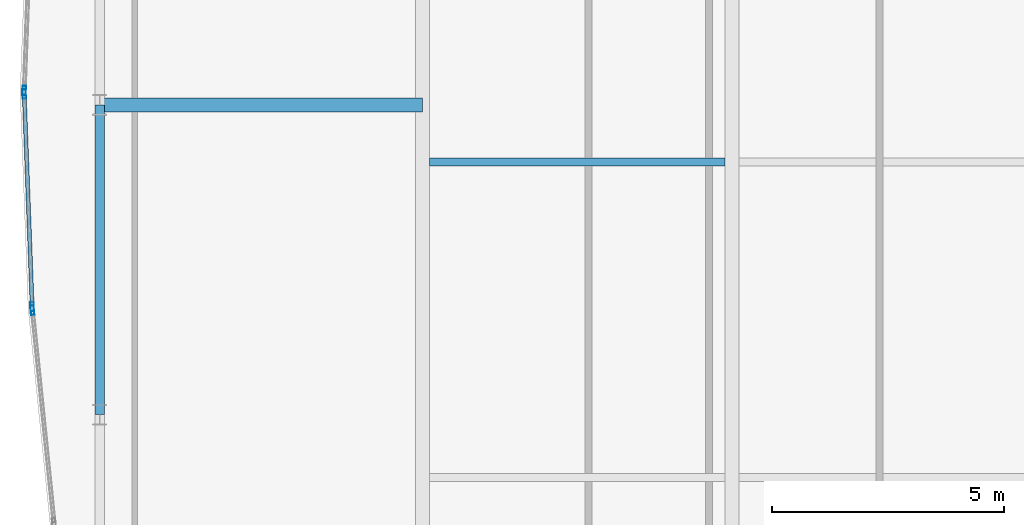
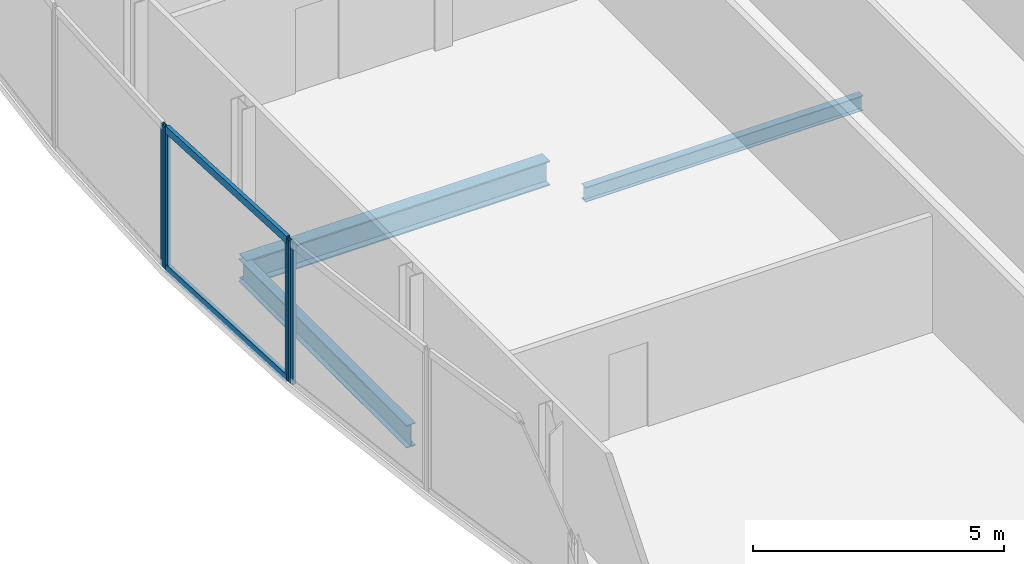
# One storey, part 9 of 26: 6 members, 3 beams, 3 elements without a shape of their own.
"""IFC4 building model written with IfcOpenShell, lengths in metres."""

from ifc_helpers import new_model, si_unit, direction, frame, origin, origin_2d, place, context, subcontext, project, spatial, hollow_rectangle, i_section, extrude, material, material_profile, profile_set, type_object, element, aggregate, save


model = new_model("IFC4")

# Units and contexts
model_context = context("Model", 3, precision=1e-05, world=origin(), true_north=direction((0.0, 1.0)))
body_context = subcontext(model_context, "Body", "Model", "MODEL_VIEW")
ifc_project = project(units=[si_unit("LENGTHUNIT", "METRE"), si_unit("AREAUNIT", "SQUARE_METRE"), si_unit("VOLUMEUNIT", "CUBIC_METRE"), si_unit("PLANEANGLEUNIT", "RADIAN"), si_unit("MASSUNIT", "GRAM", prefix="KILO")], contexts=[model_context])

# Site, building, storey
site_placement = place(None, origin())
site = spatial("IfcSite", under=ifc_project, at=site_placement, CompositionType="ELEMENT")
building_placement = place(site_placement, origin())
building = spatial("IfcBuilding", under=site, at=building_placement, Name="Khoronbel Lancet Exchange", CompositionType="ELEMENT")
storey_placement = place(building_placement, frame((0.0, 0.0, 339.800048828125)))
storey = spatial("IfcBuildingStorey", under=building, at=storey_placement, Name="L88", CompositionType="ELEMENT", Elevation=339.800048828125)

# Beams
ifc_material_1 = material(Name="Steel S355", Category="steel")
ifc_material_profile_1 = material_profile(ifc_material_1, i_section(OverallWidth=0.300048828125, OverallDepth=0.60009765625, WebThickness=0.015380859375, FlangeThickness=0.030029296875, at=origin_2d()), Name="HEB 600")
ifc_profile_set_1 = profile_set([ifc_material_profile_1], Name="Steel S355")
beam_type_1 = type_object("IfcBeamType", Name="BM-BG5", PredefinedType="BEAM", material=ifc_profile_set_1)
beam_1_placement = place(storey_placement, frame((11.27001953125, 31.425048828125, -0.4599609375), z_axis=(1.0, 0.0, 0.0), x_axis=(0.0, 1.0, 0.0)))
element("IfcBeam", 1, at=beam_1_placement, inside=storey, type_object=beam_type_1, Name="Level L88 west lens tie girder LG2W", PredefinedType="BEAM", context=body_context, shape_type="SweptSolid", body=[
    extrude(i_section(OverallWidth=0.300048828125, OverallDepth=0.60009765625, WebThickness=0.015380859375, FlangeThickness=0.030029296875, at=origin_2d()), origin(), (0.0, 0.0, 1.0), 6.955078125),
])
ifc_material_profile_2 = material_profile(ifc_material_1, i_section(OverallWidth=0.169921875, OverallDepth=0.360107421875, WebThickness=0.008056640625, FlangeThickness=0.0126953125, at=origin_2d()), Name="IPE 360")
ifc_profile_set_2 = profile_set([ifc_material_profile_2], Name="Steel S355")
beam_type_2 = type_object("IfcBeamType", Name="BM-BJ6", PredefinedType="JOIST", material=ifc_profile_set_2)
beam_2_placement = place(storey_placement, frame((18.375, 30.199951171875, -0.340087890625), z_axis=(1.0, 0.0, 0.0), x_axis=(0.0, 1.0, 0.0)))
element("IfcBeam", 2, at=beam_2_placement, inside=storey, type_object=beam_type_2, Name="Level L88 secondary composite joist J07", PredefinedType="JOIST", context=body_context, shape_type="SweptSolid", body=[
    extrude(i_section(OverallWidth=0.169921875, OverallDepth=0.360107421875, WebThickness=0.008056640625, FlangeThickness=0.0126953125, at=origin_2d()), origin(), (0.0, 0.0, 1.0), 6.375),
])
ifc_material_profile_3 = material_profile(ifc_material_1, i_section(OverallWidth=0.2099609375, OverallDepth=0.550048828125, WebThickness=0.010986328125, FlangeThickness=0.01708984375, at=origin_2d()), Name="IPE 550")
ifc_profile_set_3 = profile_set([ifc_material_profile_3], Name="Steel S355")
beam_type_3 = type_object("IfcBeamType", Name="BM-BSP3", PredefinedType="SPANDREL", material=ifc_profile_set_3)
beam_3_placement = place(storey_placement, frame((11.27001953125, 31.425048828125, -0.43505859375), z_axis=(0.0, -1.0, 0.0), x_axis=(1.0, 0.0, 0.0)))
element("IfcBeam", 3, at=beam_3_placement, inside=storey, type_object=beam_type_3, Name="Level L88 perimeter spandrel beam SP17", PredefinedType="SPANDREL", context=body_context, shape_type="SweptSolid", body=[
    extrude(i_section(OverallWidth=0.2099609375, OverallDepth=0.550048828125, WebThickness=0.010986328125, FlangeThickness=0.01708984375, at=origin_2d()), origin(), (0.0, 0.0, 1.0), 6.675048828125),
])

# Curtain wall, member
ifc_material_2 = material(Name="Low-E Solar Control Insulating Glass", Category="glass")
curtain_wall_type = type_object("IfcCurtainWallType", Name="CW-4", PredefinedType="NOTDEFINED", material=ifc_material_2)
curtain_wall_1_placement = place(storey_placement, origin())
curtain_wall_1 = element("IfcCurtainWall", 4, at=curtain_wall_1_placement, inside=storey, type_object=curtain_wall_type, Name="Unitised curtain wall CW-L88-E05", PredefinedType="NOTDEFINED")
ifc_material_3 = material(Name="Bronze-Anodised Aluminium 6063-T6", Category="aluminium")
ifc_material_profile_4 = material_profile(ifc_material_3, hollow_rectangle(XDim=0.074951171875, YDim=0.199951171875, WallThickness=0.0048828125, at=origin_2d()), Name="ALU MULLION 75x200")
ifc_profile_set_4 = profile_set([ifc_material_profile_4], Name="Bronze-Anodised Aluminium 6063-T6")
member_type_1 = type_object("IfcMemberType", Name="MEM-CWM2", PredefinedType="MULLION", material=ifc_profile_set_4)
member_1_placement = place(storey_placement, frame((9.81982421875, 27.002197265625, 0.0), z_axis=(0.0, 0.0, 1.0), x_axis=(-0.994858128487, -0.101278350024, 0.0)))
member_1 = element("IfcMember", 5, at=member_1_placement, type_object=member_type_1, Name="CW4 mullion 2", PredefinedType="MULLION", context=body_context, shape_type="SweptSolid", body=[
    extrude(hollow_rectangle(XDim=0.074951171875, YDim=0.199951171875, WallThickness=0.0048828125, at=origin_2d()), origin(), (0.0, 0.0, 1.0), 3.43994140625),
])
aggregate(curtain_wall_1, [member_1])

# Curtain wall, members
curtain_wall_2_placement = place(storey_placement, origin())
curtain_wall_2 = element("IfcCurtainWall", 6, at=curtain_wall_2_placement, inside=storey, type_object=curtain_wall_type, Name="Unitised curtain wall CW-L88-E06", PredefinedType="NOTDEFINED")
member_2_placement = place(storey_placement, frame((9.814697265625, 27.076904296875, 0.0), z_axis=(0.0, 0.0, 1.0), x_axis=(-0.999307766192, -0.037201994942, 0.0)))
member_2 = element("IfcMember", 7, at=member_2_placement, type_object=member_type_1, Name="CW4 mullion 1", PredefinedType="MULLION", context=body_context, shape_type="SweptSolid", body=[
    extrude(hollow_rectangle(XDim=0.074951171875, YDim=0.199951171875, WallThickness=0.0048828125, at=origin_2d()), origin(), (0.0, 0.0, 1.0), 3.43994140625),
])
member_3_placement = place(storey_placement, frame((9.643798828125, 31.66259765625, 0.0), z_axis=(0.0, 0.0, 1.0), x_axis=(-0.999307766192, -0.037201994942, 0.0)))
member_3 = element("IfcMember", 8, at=member_3_placement, type_object=member_type_1, Name="CW4 mullion 2", PredefinedType="MULLION", context=body_context, shape_type="SweptSolid", body=[
    extrude(hollow_rectangle(XDim=0.074951171875, YDim=0.199951171875, WallThickness=0.0048828125, at=origin_2d()), origin(), (0.0, 0.0, 1.0), 3.43994140625),
])

# Curtain wall, member
curtain_wall_3_placement = place(storey_placement, origin())
curtain_wall_3 = element("IfcCurtainWall", 9, at=curtain_wall_3_placement, inside=storey, type_object=curtain_wall_type, Name="Unitised curtain wall CW-L88-E07", PredefinedType="NOTDEFINED")
member_4_placement = place(storey_placement, frame((9.643798828125, 31.737548828125, 0.0), z_axis=(0.0, 0.0, 1.0), x_axis=(-0.999307766192, 0.037201994942, 0.0)))
member_4 = element("IfcMember", 10, at=member_4_placement, type_object=member_type_1, Name="CW4 mullion 1", PredefinedType="MULLION", context=body_context, shape_type="SweptSolid", body=[
    extrude(hollow_rectangle(XDim=0.074951171875, YDim=0.199951171875, WallThickness=0.0048828125, at=origin_2d()), origin(), (0.0, 0.0, 1.0), 3.43994140625),
])
aggregate(curtain_wall_3, [member_4])

# Member
ifc_material_profile_5 = material_profile(ifc_material_3, hollow_rectangle(XDim=0.0849609375, YDim=0.179931640625, WallThickness=0.0048828125, at=origin_2d()), Name="ALU TRANSOM 85x180")
ifc_profile_set_5 = profile_set([ifc_material_profile_5], Name="Bronze-Anodised Aluminium 6063-T6")
member_type_2 = type_object("IfcMemberType", Name="MEM-CWT1", PredefinedType="USERDEFINED", material=ifc_profile_set_5)
member_5_placement = place(storey_placement, frame((9.813232421875, 27.114501953125, 0.04248046875), z_axis=(-0.03721371815, 0.999307329695, 0.0), x_axis=(-0.999307329695, -0.03721371815, 0.0)))
member_5 = element("IfcMember", 11, at=member_5_placement, type_object=member_type_2, Name="CW4 transom 1.1", ObjectType="TRANSOM", PredefinedType="USERDEFINED", context=body_context, shape_type="SweptSolid", body=[
    extrude(hollow_rectangle(XDim=0.0849609375, YDim=0.179931640625, WallThickness=0.0048828125, at=origin_2d()), origin(), (0.0, 0.0, 1.0), 4.513671875),
])

member_6_placement = place(storey_placement, frame((9.813232421875, 27.114501953125, 3.3974609375), z_axis=(-0.03721371815, 0.999307329695, 0.0), x_axis=(-0.999307329695, -0.03721371815, 0.0)))
member_6 = element("IfcMember", 12, at=member_6_placement, type_object=member_type_2, Name="CW4 transom 1.2", ObjectType="TRANSOM", PredefinedType="USERDEFINED", context=body_context, shape_type="SweptSolid", body=[
    extrude(hollow_rectangle(XDim=0.0849609375, YDim=0.179931640625, WallThickness=0.0048828125, at=origin_2d()), origin(), (0.0, 0.0, 1.0), 4.513671875),
])

aggregate(curtain_wall_2, [member_2, member_3, member_5, member_6])

save(model, "model.ifc")
